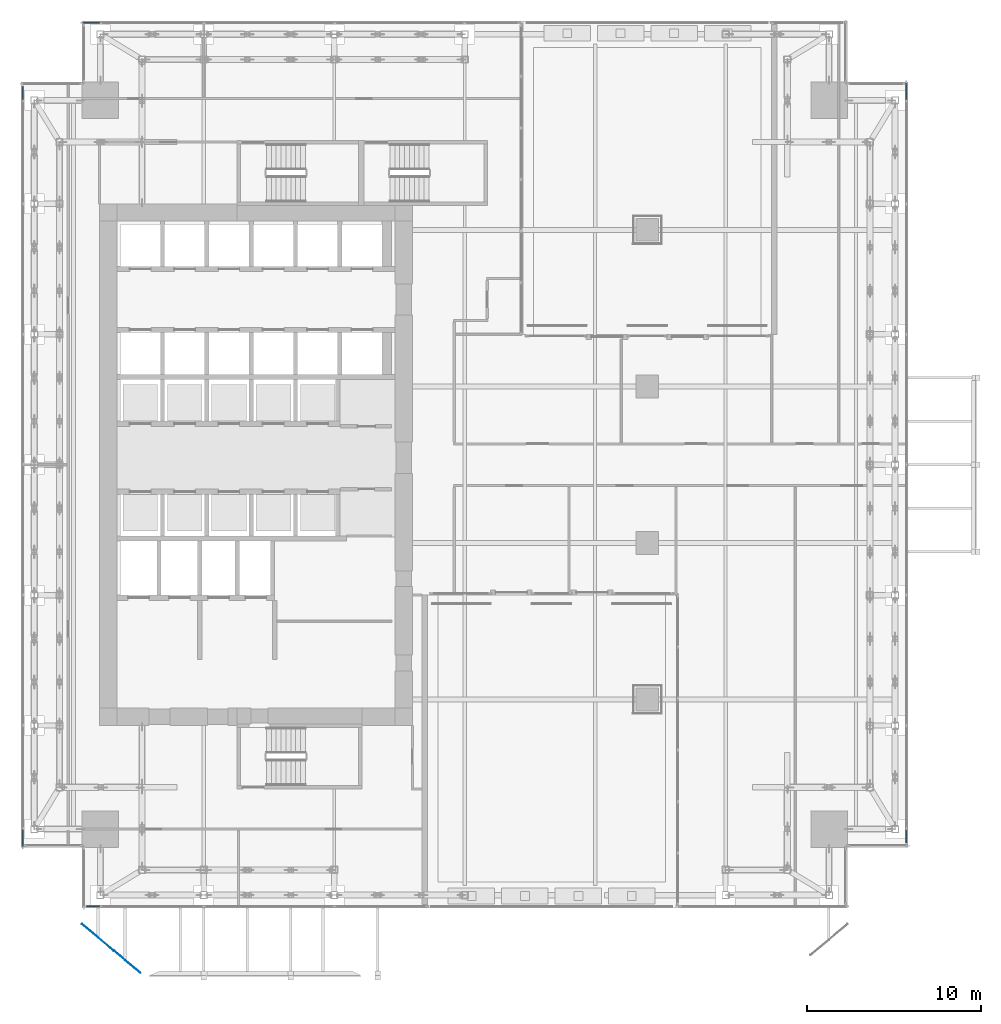
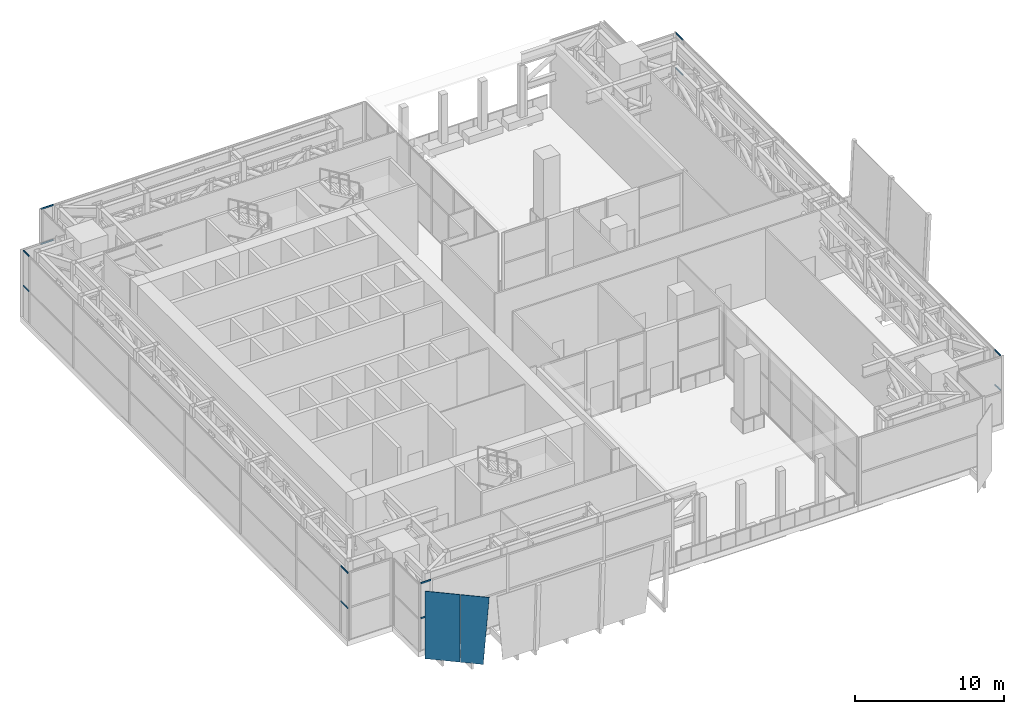
# One storey, part 30 of 47: 12 members, 2 plates, 4 elements without a shape of their own.
"""IFC4 building model written with IfcOpenShell, lengths in metres."""

from ifc_helpers import new_model, si_unit, direction, frame, origin, origin_2d, place, context, subcontext, project, spatial, polyline, hollow_rectangle, outline, extrude, source, transform, mapped, material, layer, layer_set, material_profile, profile_set, type_object, element, aggregate, save


model = new_model("IFC4")

# Units and contexts
model_context = context("Model", 3, precision=1e-05, world=origin(), true_north=direction((0.0, 1.0)))
body_context = subcontext(model_context, "Body", "Model", "MODEL_VIEW")
ifc_project = project(units=[si_unit("LENGTHUNIT", "METRE"), si_unit("AREAUNIT", "SQUARE_METRE"), si_unit("VOLUMEUNIT", "CUBIC_METRE"), si_unit("PLANEANGLEUNIT", "RADIAN"), si_unit("MASSUNIT", "GRAM", prefix="KILO")], contexts=[model_context])

# Site, building, storey
site_placement = place(None, origin())
site = spatial("IfcSite", under=ifc_project, at=site_placement, CompositionType="ELEMENT")
building_placement = place(site_placement, origin())
building = spatial("IfcBuilding", under=site, at=building_placement, Name="Khomas Fold Tower", CompositionType="ELEMENT")
storey_placement = place(building_placement, frame((0.0, 0.0, 158.699951171875)))
storey = spatial("IfcBuildingStorey", under=building, at=storey_placement, Name="L34", CompositionType="ELEMENT", Elevation=158.699951171875)

# Curtain wall, members
ifc_material_1 = material(Name="Aluminium framed double glazing", Category="aluminium")
curtain_wall_type = type_object("IfcCurtainWallType", Name="SK-Unitised clear-glass wall, growing floors CW1", PredefinedType="NOTDEFINED", material=ifc_material_1)
curtain_wall_1_placement = place(storey_placement, origin())
curtain_wall_1 = element("IfcCurtainWall", 1, at=curtain_wall_1_placement, inside=storey, type_object=curtain_wall_type, Name="CW1 run L34 01-0", PredefinedType="NOTDEFINED")
ifc_material_2 = material(Name="Aluminium", Category="aluminium")
ifc_material_profile = material_profile(ifc_material_2, hollow_rectangle(XDim=0.06005859375, YDim=0.1201171875, WallThickness=0.00390625, at=origin_2d()), Name="SK-Unitised clear-glass wall, growing floors transom CW1-T")
ifc_profile_set = profile_set([ifc_material_profile], Name="Aluminium")
member_type = type_object("IfcMemberType", Name="SK-Unitised clear-glass wall, growing floors transom CW1-T", PredefinedType="USERDEFINED", material=ifc_profile_set)
shared_shape_1 = source(origin(), body_context, "Body", "SweptSolid", [
    extrude(hollow_rectangle(XDim=0.06005859375, YDim=0.1201171875, WallThickness=0.00390625, at=origin_2d()), origin(), (0.0, 0.0, 1.0), 0.760009765625),
])
member_1_placement = place(storey_placement, frame((5.260009765625, 1.60009765625, 5.489990234375), z_axis=(1.0, 0.0, 0.0), x_axis=(0.0, 1.0, 0.0)))
member_1 = element("IfcMember", 2, at=member_1_placement, type_object=member_type, Name="CW1 transom 1", ObjectType="TRANSOM", PredefinedType="USERDEFINED", context=body_context, shape_type="MappedRepresentation", body=[
    mapped(shared_shape_1, transform((0.0, 0.0, 0.0))),
])
member_2_placement = place(storey_placement, frame((5.260009765625, 1.60009765625, 2.6171875), z_axis=(1.0, 0.0, 0.0), x_axis=(0.0, 1.0, 0.0)))
member_2 = element("IfcMember", 3, at=member_2_placement, type_object=member_type, Name="CW1 transom 1 (truss floor)", ObjectType="TRANSOM", PredefinedType="USERDEFINED", context=body_context, shape_type="MappedRepresentation", body=[
    mapped(shared_shape_1, transform((0.0, 0.0, 0.0))),
])
aggregate(curtain_wall_1, [member_1, member_2])

curtain_wall_2_placement = place(storey_placement, origin())
curtain_wall_2 = element("IfcCurtainWall", 4, at=curtain_wall_2_placement, inside=storey, type_object=curtain_wall_type, Name="CW1 run L34 08-0", PredefinedType="NOTDEFINED")
member_3_placement = place(storey_placement, frame((52.39990234375, 5.260009765625, 5.489990234375), z_axis=(0.0, 1.0, 0.0), x_axis=(-1.0, 0.0, 0.0)))
member_3 = element("IfcMember", 5, at=member_3_placement, type_object=member_type, Name="CW1 transom 1", ObjectType="TRANSOM", PredefinedType="USERDEFINED", context=body_context, shape_type="MappedRepresentation", body=[
    mapped(shared_shape_1, transform((0.0, 0.0, 0.0))),
])
member_4_placement = place(storey_placement, frame((52.39990234375, 5.260009765625, 2.6171875), z_axis=(0.0, 1.0, 0.0), x_axis=(-1.0, 0.0, 0.0)))
member_4 = element("IfcMember", 6, at=member_4_placement, type_object=member_type, Name="CW1 transom 1 (truss floor)", ObjectType="TRANSOM", PredefinedType="USERDEFINED", context=body_context, shape_type="MappedRepresentation", body=[
    mapped(shared_shape_1, transform((0.0, 0.0, 0.0))),
])

curtain_wall_3_placement = place(storey_placement, origin())
curtain_wall_3 = element("IfcCurtainWall", 7, at=curtain_wall_3_placement, inside=storey, type_object=curtain_wall_type, Name="CW1 run L34 18-0", PredefinedType="NOTDEFINED")
member_5_placement = place(storey_placement, frame((1.60009765625, 48.739990234375, 5.489990234375), z_axis=(0.0, -1.0, 0.0), x_axis=(1.0, 0.0, 0.0)))
member_5 = element("IfcMember", 8, at=member_5_placement, type_object=member_type, Name="CW1 transom 1", ObjectType="TRANSOM", PredefinedType="USERDEFINED", context=body_context, shape_type="MappedRepresentation", body=[
    mapped(shared_shape_1, transform((0.0, 0.0, 0.0))),
])
member_6_placement = place(storey_placement, frame((1.60009765625, 48.739990234375, 2.6171875), z_axis=(0.0, -1.0, 0.0), x_axis=(1.0, 0.0, 0.0)))
member_6 = element("IfcMember", 9, at=member_6_placement, type_object=member_type, Name="CW1 transom 1 (truss floor)", ObjectType="TRANSOM", PredefinedType="USERDEFINED", context=body_context, shape_type="MappedRepresentation", body=[
    mapped(shared_shape_1, transform((0.0, 0.0, 0.0))),
])

# Member
shared_shape_2 = source(origin(), body_context, "Body", "SweptSolid", [
    extrude(hollow_rectangle(XDim=0.06005859375, YDim=0.1201171875, WallThickness=0.00390625, at=origin_2d()), origin(), (0.0, 0.0, 1.0), 0.9599609375),
])
member_7_placement = place(storey_placement, frame((52.39990234375, 47.97998046875, 5.489990234375), z_axis=(0.0, 1.0, 0.0), x_axis=(-1.0, 0.0, 0.0)))
member_7 = element("IfcMember", 10, at=member_7_placement, type_object=member_type, Name="CW1 transom 8", ObjectType="TRANSOM", PredefinedType="USERDEFINED", context=body_context, shape_type="MappedRepresentation", body=[
    mapped(shared_shape_2, transform((0.0, 0.0, 0.0))),
])

member_8_placement = place(storey_placement, frame((52.39990234375, 47.97998046875, 2.6171875), z_axis=(0.0, 1.0, 0.0), x_axis=(-1.0, 0.0, 0.0)))
member_8 = element("IfcMember", 11, at=member_8_placement, type_object=member_type, Name="CW1 transom 8 (truss floor)", ObjectType="TRANSOM", PredefinedType="USERDEFINED", context=body_context, shape_type="MappedRepresentation", body=[
    mapped(shared_shape_2, transform((0.0, 0.0, 0.0))),
])

aggregate(curtain_wall_2, [member_3, member_4, member_7, member_8])

# Curtain wall, members
curtain_wall_4_placement = place(storey_placement, origin())
curtain_wall_4 = element("IfcCurtainWall", 12, at=curtain_wall_4_placement, inside=storey, type_object=curtain_wall_type, Name="CW1 run L34 15-0", PredefinedType="NOTDEFINED")
member_9_placement = place(storey_placement, frame((6.02001953125, 52.39990234375, 5.489990234375), z_axis=(-1.0, 0.0, 0.0), x_axis=(0.0, -1.0, 0.0)))
member_9 = element("IfcMember", 13, at=member_9_placement, type_object=member_type, Name="CW1 transom 5", ObjectType="TRANSOM", PredefinedType="USERDEFINED", context=body_context, shape_type="MappedRepresentation", body=[
    mapped(shared_shape_2, transform((0.0, 0.0, 0.0))),
])
member_10_placement = place(storey_placement, frame((6.02001953125, 52.39990234375, 2.6171875), z_axis=(-1.0, 0.0, 0.0), x_axis=(0.0, -1.0, 0.0)))
member_10 = element("IfcMember", 14, at=member_10_placement, type_object=member_type, Name="CW1 transom 5 (truss floor)", ObjectType="TRANSOM", PredefinedType="USERDEFINED", context=body_context, shape_type="MappedRepresentation", body=[
    mapped(shared_shape_2, transform((0.0, 0.0, 0.0))),
])
aggregate(curtain_wall_4, [member_9, member_10])

# Member
member_11_placement = place(storey_placement, frame((1.60009765625, 6.02001953125, 5.489990234375), z_axis=(0.0, -1.0, 0.0), x_axis=(1.0, 0.0, 0.0)))
member_11 = element("IfcMember", 15, at=member_11_placement, type_object=member_type, Name="CW1 transom 8", ObjectType="TRANSOM", PredefinedType="USERDEFINED", context=body_context, shape_type="MappedRepresentation", body=[
    mapped(shared_shape_2, transform((0.0, 0.0, 0.0))),
])

member_12_placement = place(storey_placement, frame((1.60009765625, 6.02001953125, 2.6171875), z_axis=(0.0, -1.0, 0.0), x_axis=(1.0, 0.0, 0.0)))
member_12 = element("IfcMember", 16, at=member_12_placement, type_object=member_type, Name="CW1 transom 8 (truss floor)", ObjectType="TRANSOM", PredefinedType="USERDEFINED", context=body_context, shape_type="MappedRepresentation", body=[
    mapped(shared_shape_2, transform((0.0, 0.0, 0.0))),
])

aggregate(curtain_wall_3, [member_5, member_6, member_11, member_12])

# Plates
ifc_material_3 = material(Name="Clear laminated glass", Category="glass")
ifc_layer = layer(ifc_material_3, 0.0400390625)
ifc_layer_set = layer_set([ifc_layer], Name="Clear laminated glass")
plate_type = type_object("IfcPlateType", Name="SK-Clear laminated glass leaf", PredefinedType="SHEET", material=ifc_layer_set)
plate_1_placement = place(storey_placement, frame((5.0, 0.60009765625, 0.0), z_axis=(0.640204559822, 0.768204479018, 0.0), x_axis=(0.0, 0.0, 1.0)))
element("IfcPlate", 17, at=plate_1_placement, inside=storey, type_object=plate_type, Name="OUTER SKIN glass L34 SG098-1", PredefinedType="SHEET", context=body_context, shape_type="SweptSolid", body=[
    extrude(outline(polyline([(0.0, 0.0), (5.550048828125, 0.0), (5.550048828125, 2.3822799462709954), (0.0, 2.3822799462709954), (0.0, 0.0)])), origin(), (0.0, 0.0, -1.0), 0.0400390625),
])
plate_2_placement = place(storey_placement, frame((8.0322265625, -1.97900390625, 0.0), z_axis=(-0.64024607734, -0.768169877317, 5.792736e-06), x_axis=(-0.76816987733, 0.64024607735, 1.2e-10)))
element("IfcPlate", 18, at=plate_2_placement, inside=storey, type_object=plate_type, Name="OUTER SKIN glass L34 SG099-2", PredefinedType="SHEET", context=body_context, shape_type="SweptSolid", body=[
    extrude(outline(polyline([(0.0, 0.0), (1.5462266349773137, 0.0), (1.546226635645793, -5.550048828031883), (-0.41152478170545453, -5.550048828453923), (0.0, 0.0)])), origin(), (0.0, 0.0, -1.0), 0.0400390625),
])

save(model, "model.ifc")
